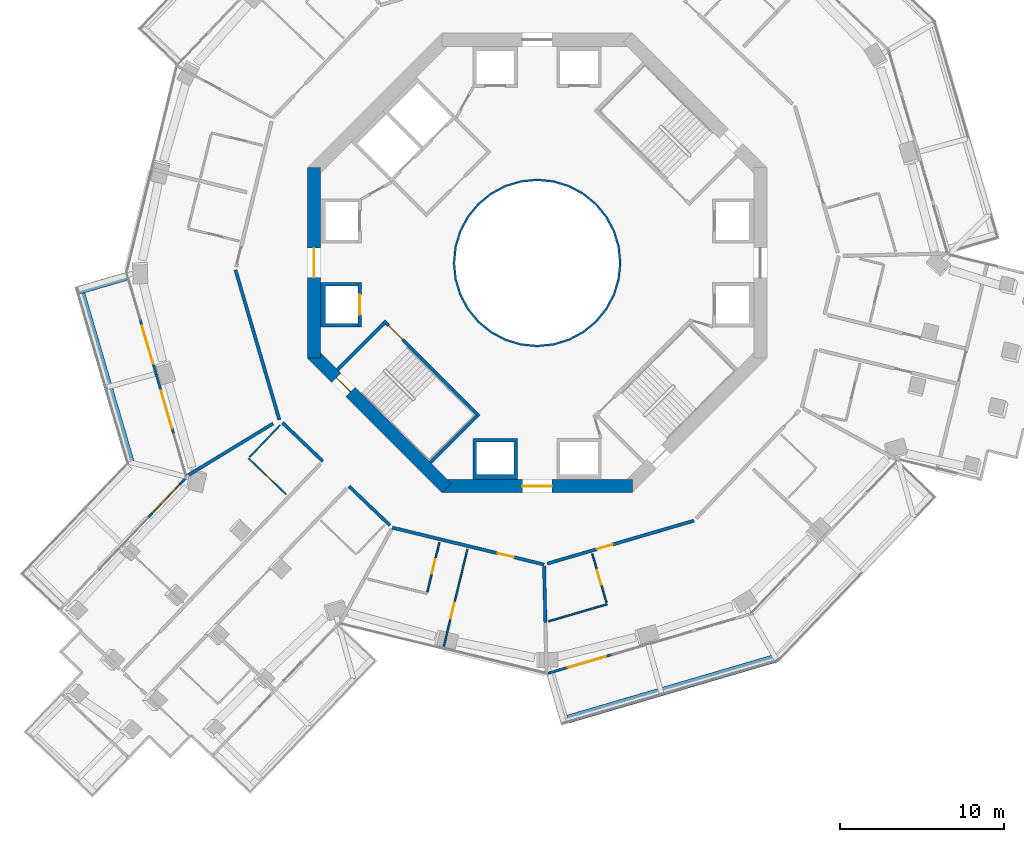
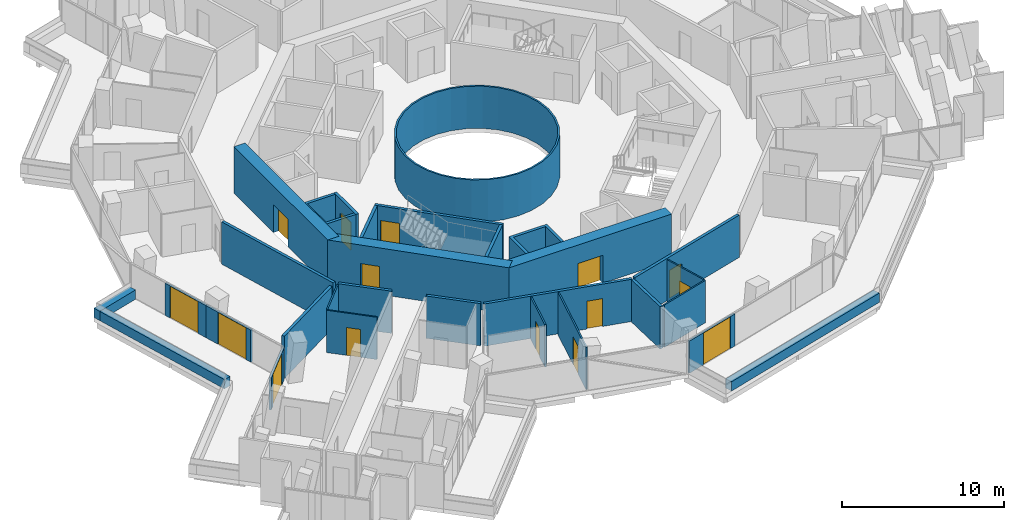
# One storey, part 18 of 25: 30 walls, 15 doors, 15 openings.
"""IFC4 building model written with IfcOpenShell, lengths in metres."""

from ifc_helpers import new_model, si_unit, direction, frame, frame_2d, origin, place, context, subcontext, project, spatial, polyline, rectangle, outline, extrude, material, layer, layer_set, type_object, element, fill, save


model = new_model("IFC4")

# Units and contexts
model_context = context("Model", 3, precision=1e-05, world=origin(), true_north=direction((0.0, 1.0)))
body_context = subcontext(model_context, "Body", "Model", "MODEL_VIEW")
ifc_project = project(units=[si_unit("LENGTHUNIT", "METRE"), si_unit("AREAUNIT", "SQUARE_METRE"), si_unit("VOLUMEUNIT", "CUBIC_METRE"), si_unit("PLANEANGLEUNIT", "RADIAN"), si_unit("MASSUNIT", "GRAM", prefix="KILO")], contexts=[model_context])

# Site, building, storey
site_placement = place(None, origin())
site = spatial("IfcSite", under=ifc_project, at=site_placement, CompositionType="ELEMENT")
building_placement = place(site_placement, origin())
building = spatial("IfcBuilding", under=site, at=building_placement, Name="Verdalira Terraces Hotel", CompositionType="ELEMENT")
storey_placement = place(building_placement, frame((0.0, 0.0, 100.0)))
storey = spatial("IfcBuildingStorey", under=building, at=storey_placement, Name="L23", CompositionType="ELEMENT", Elevation=100.0)

# Walls
ifc_material_1 = material(Name="Fire-resisting glass EI 180", Category="glass")
ifc_layer_1 = layer(ifc_material_1, 0.1201171875)
ifc_layer_set_1 = layer_set([ifc_layer_1], Name="Atrium fire screen 120 mm")
wall_type_1 = type_object("IfcWallType", Name="Atrium fire screen 120 mm", PredefinedType="SOLIDWALL", material=ifc_layer_set_1)
wall_1_placement = place(storey_placement, origin())
element("IfcWall", 1, at=wall_1_placement, inside=storey, type_object=wall_type_1, Name="Atrium fire screen", PredefinedType="SOLIDWALL", context=body_context, shape_type="SweptSolid", body=[
    extrude(outline(polyline([(5.021484, -0.998779), (4.730225, -1.959229), (4.25708, -2.844482), (3.620361, -3.620361), (2.844482, -4.25708), (1.959229, -4.730225), (0.998779, -5.021484), (0.0, -5.120117), (-0.998779, -5.021484), (-1.959229, -4.730225), (-2.844482, -4.25708), (-3.620361, -3.620361), (-4.25708, -2.844482), (-4.730225, -1.959229), (-5.021484, -0.998779), (-5.120117, 0.0), (-5.021484, 0.998779), (-4.730225, 1.959229), (-4.25708, 2.844482), (-3.620361, 3.620361), (-2.844482, 4.25708), (-1.959229, 4.730225), (-0.998779, 5.021484), (0.0, 5.120117), (0.998779, 5.021484), (1.959229, 4.730225), (2.844482, 4.25708), (3.620361, 3.620361), (4.25708, 2.844482), (4.730225, 1.959229), (5.021484, 0.998779), (5.120117, 0.0), (5.021484, -0.998779)]), holes=[polyline([(4.903809, 0.975586), (4.619385, 1.91333), (4.157227, 2.777832), (3.5354, 3.5354), (2.777832, 4.157227), (1.91333, 4.619385), (0.975586, 4.903809), (0.0, 5.0), (-0.975586, 4.903809), (-1.91333, 4.619385), (-2.777832, 4.157227), (-3.5354, 3.5354), (-4.157227, 2.777832), (-4.619385, 1.91333), (-4.903809, 0.975586), (-5.0, 0.0), (-4.903809, -0.975586), (-4.619385, -1.91333), (-4.157227, -2.777832), (-3.5354, -3.5354), (-2.777832, -4.157227), (-1.91333, -4.619385), (-0.975586, -4.903809), (0.0, -5.0), (0.975586, -4.903809), (1.91333, -4.619385), (2.777832, -4.157227), (3.5354, -3.5354), (4.157227, -2.777832), (4.619385, -1.91333), (4.903809, -0.975586), (5.0, 0.0), (4.903809, 0.975586)])]), origin(), (0.0, 0.0, 1.0), 3.189941),
])
ifc_material_2 = material(Name="Concrete C40", Category="concrete")
ifc_layer_2 = layer(ifc_material_2, 0.5)
ifc_layer_set_2 = layer_set([ifc_layer_2], Name="Balcony planter trough with tree")
wall_type_2 = type_object("IfcWallType", Name="Balcony planter trough with tree", PredefinedType="SOLIDWALL", material=ifc_layer_set_2)
wall_2_placement = place(storey_placement, frame((-25.038086, -0.818848, 0.0), z_axis=(0.0, 0.0, 1.0), x_axis=(-0.959706288, -0.281005054, 0.0)))
element("IfcWall", 2, at=wall_2_placement, inside=storey, type_object=wall_type_2, Name="Balcony planter", PredefinedType="SOLIDWALL", context=body_context, shape_type="SweptSolid", body=[
    extrude(rectangle(XDim=3.198975, YDim=0.5, at=frame_2d((1.599609, 0.0))), origin(), (0.0, 0.0, 1.0), 0.699951),
])
wall_3_placement = place(storey_placement, frame((-27.798096, -1.887451, 0.0), z_axis=(0.0, 0.0, 1.0), x_axis=(0.281008423, -0.959705302, 0.0)))
element("IfcWall", 3, at=wall_3_placement, inside=storey, type_object=wall_type_2, Name="Balcony planter", PredefinedType="SOLIDWALL", context=body_context, shape_type="SweptSolid", body=[
    extrude(rectangle(XDim=10.652344, YDim=0.5, at=frame_2d((5.326172, 0.0))), origin(), (0.0, 0.0, 1.0), 0.699951),
])
wall_4_placement = place(storey_placement, frame((1.887451, -27.798096, 0.0), z_axis=(0.0, 0.0, 1.0), x_axis=(0.959705837, 0.281006596, 0.0)))
element("IfcWall", 4, at=wall_4_placement, inside=storey, type_object=wall_type_2, Name="Balcony planter", PredefinedType="SOLIDWALL", context=body_context, shape_type="SweptSolid", body=[
    extrude(rectangle(XDim=13.223145, YDim=0.5, at=frame_2d((6.611572, 0.0))), origin(), (0.0, 0.0, 1.0), 0.699951),
])
ifc_material_3 = material(Name="Moisture-resistant gypsum board partition")
ifc_layer_3 = layer(ifc_material_3, 0.10009765625)
ifc_layer_set_3 = layer_set([ifc_layer_3], Name="Bathroom partition 100 mm")
wall_type_3 = type_object("IfcWallType", Name="Bathroom partition 100 mm", PredefinedType="PARTITIONING", material=ifc_layer_set_3)
wall_5_placement = place(storey_placement, frame((-15.656982, -9.879883, 0.0), z_axis=(0.0, 0.0, 1.0), x_axis=(-0.690643473, -0.723195404, 0.0)))
element("IfcWall", 5, at=wall_5_placement, inside=storey, type_object=wall_type_3, Name="Bathroom partition", PredefinedType="PARTITIONING", context=body_context, shape_type="SweptSolid", body=[
    extrude(rectangle(XDim=2.699951, YDim=0.100098, at=frame_2d((1.350098, 0.0))), origin(), (0.0, 0.0, 1.0), 3.189941),
])

# Wall, opening, door
wall_6_placement = place(storey_placement, frame((-17.59082, -11.904785, 0.0), z_axis=(0.0, 0.0, 1.0), x_axis=(0.723208297, -0.690629972, 0.0)))
wall_6 = element("IfcWall", 6, at=wall_6_placement, inside=storey, type_object=wall_type_3, Name="Bathroom partition", PredefinedType="PARTITIONING", context=body_context, shape_type="SweptSolid", body=[
    extrude(rectangle(XDim=3.199951, YDim=0.100098, at=frame_2d((1.600098, 0.0))), origin(), (0.0, 0.0, 1.0), 3.189941),
])
opening_1_placement = place(wall_6_placement, frame((1.25, 0.0, 0.0)))
opening_1 = element("IfcOpeningElement", 7, at=opening_1_placement, cuts=wall_6, Name="Opening L23-115", PredefinedType="OPENING", context=body_context, shape_type="SweptSolid", body=[
    extrude(rectangle(XDim=0.899902, YDim=2.100098, at=frame_2d((0.449951, 1.050049))), frame((0.0, 0.060059, 0.0), z_axis=(0.0, -1.0, 0.0), x_axis=(1.0, 0.0, 0.0)), (0.0, 0.0, 1.0), 0.120117),
])
ifc_material_4 = material(Name="Timber door", Category="wood")
door_type_1 = type_object("IfcDoorType", Name="Bathroom door 900 x 2100", OperationType="NOTDEFINED", PredefinedType="DOOR", material=ifc_material_4)
door_1_placement = place(opening_1_placement, origin())
door_1 = element("IfcDoor", 8, at=door_1_placement, inside=storey, type_object=door_type_1, Name="Bathroom door 2305", OperationType="SINGLE_SWING_LEFT", OverallHeight=2.10009765625, OverallWidth=0.89990234375, PredefinedType="DOOR", context=body_context, shape_type="SweptSolid", body=[
    extrude(rectangle(XDim=0.899902, YDim=2.100098, at=frame_2d((0.449951, 1.050049))), frame((0.0, 0.024902, 0.0), z_axis=(0.0, -1.0, 0.0), x_axis=(1.0, 0.0, 0.0)), (0.0, 0.0, 1.0), 0.050049),
])
fill(opening_1, door_1)

wall_7_placement = place(storey_placement, frame((-6.688721, -20.045166, 0.0), z_axis=(0.0, 0.0, 1.0), x_axis=(0.236490233, 0.971633866, 0.0)))
wall_7 = element("IfcWall", 9, at=wall_7_placement, inside=storey, type_object=wall_type_3, Name="Bathroom partition", PredefinedType="PARTITIONING", context=body_context, shape_type="SweptSolid", body=[
    extrude(rectangle(XDim=3.100098, YDim=0.100098, at=frame_2d((1.550049, 0.0))), origin(), (0.0, 0.0, 1.0), 3.189941),
])
opening_2_placement = place(wall_7_placement, frame((1.149902, 0.0, 0.0)))
opening_2 = element("IfcOpeningElement", 10, at=opening_2_placement, cuts=wall_7, Name="Opening L23-123", PredefinedType="OPENING", context=body_context, shape_type="SweptSolid", body=[
    extrude(rectangle(XDim=0.899902, YDim=2.100098, at=frame_2d((0.449951, 1.050049))), frame((0.0, 0.060059, 0.0), z_axis=(0.0, -1.0, 0.0), x_axis=(1.0, 0.0, 0.0)), (0.0, 0.0, 1.0), 0.120117),
])
door_2_placement = place(opening_2_placement, origin())
door_2 = element("IfcDoor", 11, at=door_2_placement, inside=storey, type_object=door_type_1, Name="Bathroom door 2308", OperationType="SINGLE_SWING_LEFT", OverallHeight=2.10009765625, OverallWidth=0.89990234375, PredefinedType="DOOR", context=body_context, shape_type="SweptSolid", body=[
    extrude(rectangle(XDim=0.899902, YDim=2.100098, at=frame_2d((0.449951, 1.050049))), frame((0.0, 0.024902, 0.0), z_axis=(0.0, -1.0, 0.0), x_axis=(1.0, 0.0, 0.0)), (0.0, 0.0, 1.0), 0.050049),
])
fill(opening_2, door_2)

wall_8_placement = place(storey_placement, frame((-5.70166, -23.424316, 0.0), z_axis=(0.0, 0.0, 1.0), x_axis=(0.236524799, 0.971625452, 0.0)))
wall_8 = element("IfcWall", 12, at=wall_8_placement, inside=storey, type_object=wall_type_3, Name="Bathroom partition", PredefinedType="PARTITIONING", context=body_context, shape_type="SweptSolid", body=[
    extrude(rectangle(XDim=6.149902, YDim=0.100098, at=frame_2d((3.074951, 0.0))), origin(), (0.0, 0.0, 1.0), 3.189941),
])
opening_3_placement = place(wall_8_placement, frame((1.800049, 0.0, 0.0)))
opening_3 = element("IfcOpeningElement", 13, at=opening_3_placement, cuts=wall_8, Name="Opening L23-122", PredefinedType="OPENING", context=body_context, shape_type="SweptSolid", body=[
    extrude(rectangle(XDim=1.0, YDim=2.100098, at=frame_2d((0.5, 1.050049))), frame((0.0, 0.060059, 0.0), z_axis=(0.0, -1.0, 0.0), x_axis=(1.0, 0.0, 0.0)), (0.0, 0.0, 1.0), 0.120117),
])
ifc_material_5 = material(Name="Timber door", Category="wood")
door_type_2 = type_object("IfcDoorType", Name="Suite internal door 1000 x 2100", OperationType="NOTDEFINED", PredefinedType="DOOR", material=ifc_material_5)
door_3_placement = place(opening_3_placement, origin())
door_3 = element("IfcDoor", 14, at=door_3_placement, inside=storey, type_object=door_type_2, Name="Suite internal door 2308", OperationType="SINGLE_SWING_LEFT", OverallHeight=2.10009765625, OverallWidth=1.0, PredefinedType="DOOR", context=body_context, shape_type="SweptSolid", body=[
    extrude(rectangle(XDim=1.0, YDim=2.100098, at=frame_2d((0.5, 1.050049))), frame((0.0, 0.024902, 0.0), z_axis=(0.0, -1.0, 0.0), x_axis=(1.0, 0.0, 0.0)), (0.0, 0.0, 1.0), 0.050049),
])
fill(opening_3, door_3)

# Wall
wall_9_placement = place(storey_placement, frame((4.258057, -20.799805, 0.0), z_axis=(0.0, 0.0, 1.0), x_axis=(-0.959692321, -0.281052751, 0.0)))
element("IfcWall", 15, at=wall_9_placement, inside=storey, type_object=wall_type_3, Name="Bathroom partition", PredefinedType="PARTITIONING", context=body_context, shape_type="SweptSolid", body=[
    extrude(rectangle(XDim=3.704102, YDim=0.100098, at=frame_2d((1.852051, 0.0))), origin(), (0.0, 0.0, 1.0), 3.189941),
])

# Wall, opening, door
wall_10_placement = place(storey_placement, frame((4.22998, -20.703857, 0.0), z_axis=(0.0, 0.0, 1.0), x_axis=(-0.280997832, 0.959708403, 0.0)))
wall_10 = element("IfcWall", 16, at=wall_10_placement, inside=storey, type_object=wall_type_3, Name="Bathroom partition", PredefinedType="PARTITIONING", context=body_context, shape_type="SweptSolid", body=[
    extrude(rectangle(XDim=3.100098, YDim=0.100098, at=frame_2d((1.550049, 0.0))), origin(), (0.0, 0.0, 1.0), 3.189941),
])
opening_4_placement = place(wall_10_placement, frame((1.149902, 0.0, 0.0)))
opening_4 = element("IfcOpeningElement", 17, at=opening_4_placement, cuts=wall_10, Name="Opening L23-125", PredefinedType="OPENING", context=body_context, shape_type="SweptSolid", body=[
    extrude(rectangle(XDim=0.899902, YDim=2.100098, at=frame_2d((0.449951, 1.050049))), frame((0.0, 0.060059, 0.0), z_axis=(0.0, -1.0, 0.0), x_axis=(1.0, 0.0, 0.0)), (0.0, 0.0, 1.0), 0.120117),
])
door_4_placement = place(opening_4_placement, origin())
door_4 = element("IfcDoor", 18, at=door_4_placement, inside=storey, type_object=door_type_1, Name="Bathroom door 2309", OperationType="SINGLE_SWING_LEFT", OverallHeight=2.10009765625, OverallWidth=0.89990234375, PredefinedType="DOOR", context=body_context, shape_type="SweptSolid", body=[
    extrude(rectangle(XDim=0.899902, YDim=2.100098, at=frame_2d((0.449951, 1.050049))), frame((0.0, 0.024902, 0.0), z_axis=(0.0, -1.0, 0.0), x_axis=(1.0, 0.0, 0.0)), (0.0, 0.0, 1.0), 0.050049),
])
fill(opening_4, door_4)

# Wall
ifc_material_6 = material(Name="Concrete C50", Category="concrete")
ifc_layer_4 = layer(ifc_material_6, 0.199951171875)
ifc_layer_set_4 = layer_set([ifc_layer_4], Name="Core RC wall 200 C50")
wall_type_4 = type_object("IfcWallType", Name="Core RC wall 200 C50", PredefinedType="SOLIDWALL", material=ifc_layer_set_4)
wall_11_placement = place(storey_placement, origin())
element("IfcWall", 19, at=wall_11_placement, inside=storey, type_object=wall_type_4, Name="L23 shaft wall W2", PredefinedType="SOLIDWALL", context=body_context, shape_type="SweptSolid", body=[
    extrude(outline(polyline([(-13.199951, -3.899902), (-13.199951, -1.199951), (-10.899902, -1.199951), (-10.899902, -1.399902), (-12.899902, -1.399902), (-12.899902, -3.699951), (-10.899902, -3.699951), (-10.899902, -3.899902), (-13.199951, -3.899902)])), origin(), (0.0, 0.0, 1.0), 3.189941),
])

# Wall, opening, door
wall_12_placement = place(storey_placement, frame((-10.800049, -1.199951, 0.0), z_axis=(0.0, 0.0, 1.0), x_axis=(0.0, -1.0, 0.0)))
wall_12 = element("IfcWall", 20, at=wall_12_placement, inside=storey, type_object=wall_type_4, Name="L23 shaft front wall W2", PredefinedType="SOLIDWALL", context=body_context, shape_type="SweptSolid", body=[
    extrude(rectangle(XDim=2.699951, YDim=0.199951, at=frame_2d((1.350098, 0.0))), origin(), (0.0, 0.0, 1.0), 3.189941),
])
opening_5_placement = place(wall_12_placement, frame((0.75, 0.0, 0.0)))
opening_5 = element("IfcOpeningElement", 21, at=opening_5_placement, cuts=wall_12, Name="Opening LD-L23-806", PredefinedType="OPENING", context=body_context, shape_type="SweptSolid", body=[
    extrude(rectangle(XDim=1.199951, YDim=2.100098, at=frame_2d((0.600098, 1.050049))), frame((0.0, 0.109863, 0.0), z_axis=(0.0, -1.0, 0.0), x_axis=(1.0, 0.0, 0.0)), (0.0, 0.0, 1.0), 0.219971),
])
ifc_material_7 = material(Name="Stainless steel", Category="steel")
door_type_3 = type_object("IfcDoorType", Name="Landing door 1200 x 2100", OperationType="NOTDEFINED", PredefinedType="DOOR", material=ifc_material_7)
door_5_placement = place(opening_5_placement, origin())
door_5 = element("IfcDoor", 22, at=door_5_placement, inside=storey, type_object=door_type_3, Name="Lift landing door LR6 L23", OperationType="DOUBLE_DOOR_SLIDING", OverallHeight=2.10009765625, OverallWidth=1.199951171875, PredefinedType="DOOR", context=body_context, shape_type="SweptSolid", body=[
    extrude(rectangle(XDim=1.199951, YDim=2.100098, at=frame_2d((0.600098, 1.050049))), frame((0.0, 0.024902, 0.0), z_axis=(0.0, -1.0, 0.0), x_axis=(1.0, 0.0, 0.0)), (0.0, 0.0, 1.0), 0.050049),
])
fill(opening_5, door_5)

# Wall
wall_13_placement = place(storey_placement, origin())
element("IfcWall", 23, at=wall_13_placement, inside=storey, type_object=wall_type_4, Name="L23 shaft wall S1", PredefinedType="SOLIDWALL", context=body_context, shape_type="SweptSolid", body=[
    extrude(outline(polyline([(-1.199951, -13.199951), (-3.899902, -13.199951), (-3.899902, -10.699951), (-1.199951, -10.699951), (-1.199951, -13.199951)]), holes=[polyline([(-3.699951, -10.899902), (-3.699951, -12.899902), (-1.399902, -12.899902), (-1.399902, -10.899902), (-3.699951, -10.899902)])]), origin(), (0.0, 0.0, 1.0), 3.189941),
])

# Wall, opening, door
wall_14_placement = place(storey_placement, frame((-3.5354, -9.33374, 0.0), z_axis=(0.0, 0.0, 1.0), x_axis=(-0.707106781, 0.707106781, 0.0)))
wall_14 = element("IfcWall", 24, at=wall_14_placement, inside=storey, type_object=wall_type_4, Name="L23 stair ST2 front wall", PredefinedType="SOLIDWALL", context=body_context, shape_type="SweptSolid", body=[
    extrude(rectangle(XDim=8.200195, YDim=0.199951, at=frame_2d((4.100098, 0.0))), origin(), (0.0, 0.0, 1.0), 3.189941),
])
opening_6_placement = place(wall_14_placement, frame((6.600098, 0.0, 0.0)))
opening_6 = element("IfcOpeningElement", 25, at=opening_6_placement, cuts=wall_14, Name="Opening L23-810", PredefinedType="OPENING", context=body_context, shape_type="SweptSolid", body=[
    extrude(rectangle(XDim=1.199951, YDim=2.100098, at=frame_2d((0.600098, 1.050049))), frame((0.0, 0.109863, 0.0), z_axis=(0.0, -1.0, 0.0), x_axis=(1.0, 0.0, 0.0)), (0.0, 0.0, 1.0), 0.219971),
])
ifc_material_8 = material(Name="Steel fire door", Category="steel")
door_type_4 = type_object("IfcDoorType", Name="Stair door 1200 x 2100", OperationType="NOTDEFINED", PredefinedType="DOOR", material=ifc_material_8)
door_6_placement = place(opening_6_placement, origin())
door_6 = element("IfcDoor", 26, at=door_6_placement, inside=storey, type_object=door_type_4, Name="Stair door ST2 L23", OperationType="SINGLE_SWING_RIGHT", OverallHeight=2.10009765625, OverallWidth=1.199951171875, PredefinedType="DOOR", context=body_context, shape_type="SweptSolid", body=[
    extrude(rectangle(XDim=1.199951, YDim=2.100098, at=frame_2d((0.600098, 1.050049))), frame((0.0, 0.024902, 0.0), z_axis=(0.0, -1.0, 0.0), x_axis=(1.0, 0.0, 0.0)), (0.0, 0.0, 1.0), 0.050049),
])
fill(opening_6, door_6)

# Walls
for number, where, z_axis, x_axis, name in (
    (27, (-9.33374, -3.677002, 0.0), (0.0, 0.0, 1.0), (-0.707106781, -0.707106781, 0.0), "L23 stair ST2 end wall 1"),
    (28, (-3.677002, -9.33374, 0.0), (0.0, 0.0, 1.0), (-0.707106781, -0.707106781, 0.0), "L23 stair ST2 end wall 2"),
):
    element("IfcWall", number, at=place(storey_placement, frame(where, z_axis=z_axis, x_axis=x_axis)), inside=storey, type_object=wall_type_4, Name=name, PredefinedType="SOLIDWALL", context=body_context, shape_type="SweptSolid", body=[
        extrude(rectangle(XDim=4.0, YDim=0.199951, at=frame_2d((2.0, 0.0))), origin(), (0.0, 0.0, 1.0), 3.189941),
    ])

# Wall, opening, door
ifc_material_9 = material(Name="Concrete C70", Category="concrete")
ifc_layer_5 = layer(ifc_material_9, 0.800048828125)
ifc_layer_set_5 = layer_set([ifc_layer_5], Name="Core wall 800 C70")
wall_type_5 = type_object("IfcWallType", Name="Core wall 800 C70", PredefinedType="SHEAR", material=ifc_layer_set_5)
wall_15_placement = place(storey_placement, frame((-13.600098, 5.799072, 0.0), z_axis=(0.0, 0.0, 1.0), x_axis=(0.0, -1.0, 0.0)))
wall_15 = element("IfcWall", 29, at=wall_15_placement, inside=storey, type_object=wall_type_5, Name="Core wall CW-L23-5", PredefinedType="SHEAR", context=body_context, shape_type="SweptSolid", body=[
    extrude(rectangle(XDim=11.598145, YDim=0.800049, at=frame_2d((5.799072, 0.0))), origin(), (0.0, 0.0, 1.0), 3.5),
])
opening_7_placement = place(wall_15_placement, frame((4.898926, 0.0, 0.0)))
opening_7 = element("IfcOpeningElement", 30, at=opening_7_placement, cuts=wall_15, Name="Opening L23-814", PredefinedType="OPENING", context=body_context, shape_type="SweptSolid", body=[
    extrude(rectangle(XDim=1.800049, YDim=2.100098, at=frame_2d((0.899902, 1.050049))), frame((0.0, 0.409912, 0.0), z_axis=(0.0, -1.0, 0.0), x_axis=(1.0, 0.0, 0.0)), (0.0, 0.0, 1.0), 0.820068),
])
ifc_material_10 = material(Name="Steel fire door", Category="steel")
door_type_5 = type_object("IfcDoorType", Name="Core entry door pair 1800 x 2100", OperationType="NOTDEFINED", PredefinedType="DOOR", material=ifc_material_10)
door_7_placement = place(opening_7_placement, origin())
door_7 = element("IfcDoor", 31, at=door_7_placement, inside=storey, type_object=door_type_5, Name="Core entry door L23 4", OperationType="DOUBLE_DOOR_SINGLE_SWING", OverallHeight=2.10009765625, OverallWidth=1.800048828125, PredefinedType="DOOR", context=body_context, shape_type="SweptSolid", body=[
    extrude(rectangle(XDim=1.800049, YDim=2.100098, at=frame_2d((0.899902, 1.050049))), frame((0.0, 0.024902, 0.0), z_axis=(0.0, -1.0, 0.0), x_axis=(1.0, 0.0, 0.0)), (0.0, 0.0, 1.0), 0.050049),
])
fill(opening_7, door_7)

wall_16_placement = place(storey_placement, frame((-13.717285, -5.516113, 0.0), z_axis=(0.0, 0.0, 1.0), x_axis=(0.707106781, -0.707106781, 0.0)))
wall_16 = element("IfcWall", 32, at=wall_16_placement, inside=storey, type_object=wall_type_5, Name="Core wall CW-L23-6", PredefinedType="SHEAR", context=body_context, shape_type="SweptSolid", body=[
    extrude(rectangle(XDim=11.598145, YDim=0.800049, at=frame_2d((5.799072, 0.0))), origin(), (0.0, 0.0, 1.0), 3.5),
])
opening_8_placement = place(wall_16_placement, frame((2.099121, 0.0, 0.0)))
opening_8 = element("IfcOpeningElement", 33, at=opening_8_placement, cuts=wall_16, Name="Opening L23-817", PredefinedType="OPENING", context=body_context, shape_type="SweptSolid", body=[
    extrude(rectangle(XDim=1.199951, YDim=2.100098, at=frame_2d((0.600098, 1.050049))), frame((0.0, 0.409912, 0.0), z_axis=(0.0, -1.0, 0.0), x_axis=(1.0, 0.0, 0.0)), (0.0, 0.0, 1.0), 0.820068),
])
door_8_placement = place(opening_8_placement, origin())
door_8 = element("IfcDoor", 34, at=door_8_placement, inside=storey, type_object=door_type_4, Name="Stair exit door ST2 L23", OperationType="SINGLE_SWING_LEFT", OverallHeight=2.10009765625, OverallWidth=1.199951171875, PredefinedType="DOOR", context=body_context, shape_type="SweptSolid", body=[
    extrude(rectangle(XDim=1.199951, YDim=2.100098, at=frame_2d((0.600098, 1.050049))), frame((0.0, 0.024902, 0.0), z_axis=(0.0, -1.0, 0.0), x_axis=(1.0, 0.0, 0.0)), (0.0, 0.0, 1.0), 0.050049),
])
fill(opening_8, door_8)

wall_17_placement = place(storey_placement, frame((-5.799072, -13.600098, 0.0), z_axis=(0.0, 0.0, 1.0), x_axis=(1.0, 0.0, 0.0)))
wall_17 = element("IfcWall", 35, at=wall_17_placement, inside=storey, type_object=wall_type_5, Name="Core wall CW-L23-7", PredefinedType="SHEAR", context=body_context, shape_type="SweptSolid", body=[
    extrude(rectangle(XDim=11.598145, YDim=0.800049, at=frame_2d((5.799072, 0.0))), origin(), (0.0, 0.0, 1.0), 3.5),
])
opening_9_placement = place(wall_17_placement, frame((4.898926, 0.0, 0.0)))
opening_9 = element("IfcOpeningElement", 36, at=opening_9_placement, cuts=wall_17, Name="Opening L23-815", PredefinedType="OPENING", context=body_context, shape_type="SweptSolid", body=[
    extrude(rectangle(XDim=1.800049, YDim=2.100098, at=frame_2d((0.899902, 1.050049))), frame((0.0, 0.409912, 0.0), z_axis=(0.0, -1.0, 0.0), x_axis=(1.0, 0.0, 0.0)), (0.0, 0.0, 1.0), 0.820068),
])
door_9_placement = place(opening_9_placement, origin())
door_9 = element("IfcDoor", 37, at=door_9_placement, inside=storey, type_object=door_type_5, Name="Core entry door L23 6", OperationType="DOUBLE_DOOR_SINGLE_SWING", OverallHeight=2.10009765625, OverallWidth=1.800048828125, PredefinedType="DOOR", context=body_context, shape_type="SweptSolid", body=[
    extrude(rectangle(XDim=1.800049, YDim=2.100098, at=frame_2d((0.899902, 1.050049))), frame((0.0, 0.024902, 0.0), z_axis=(0.0, -1.0, 0.0), x_axis=(1.0, 0.0, 0.0)), (0.0, 0.0, 1.0), 0.050049),
])
fill(opening_9, door_9)

# Walls
ifc_material_11 = material(Name="Fire-rated gypsum board wall")
ifc_layer_6 = layer(ifc_material_11, 0.199951171875)
ifc_layer_set_6 = layer_set([ifc_layer_6], Name="Demising wall 200 mm")
wall_type_6 = type_object("IfcWallType", Name="Demising wall 200 mm", PredefinedType="SOLIDWALL", material=ifc_layer_set_6)
wall_18_placement = place(storey_placement, frame((-16.087891, -9.789307, 0.0), z_axis=(0.0, 0.0, 1.0), x_axis=(-0.854272356, -0.519825684, 0.0)))
element("IfcWall", 38, at=wall_18_placement, inside=storey, type_object=wall_type_6, Name="Demising wall", PredefinedType="SOLIDWALL", context=body_context, shape_type="SweptSolid", body=[
    extrude(rectangle(XDim=6.131836, YDim=0.199951, at=frame_2d((3.065918, 0.0))), origin(), (0.0, 0.0, 1.0), 3.189941),
])
wall_19_placement = place(storey_placement, frame((0.425781, -18.483398, 0.0), z_axis=(0.0, 0.0, 1.0), x_axis=(0.023068584, -0.999733885, 0.0)))
element("IfcWall", 39, at=wall_19_placement, inside=storey, type_object=wall_type_6, Name="Demising wall", PredefinedType="SOLIDWALL", context=body_context, shape_type="SweptSolid", body=[
    extrude(rectangle(XDim=3.418457, YDim=0.199951, at=frame_2d((1.709229, 0.0))), origin(), (0.0, 0.0, 1.0), 3.189941),
])
ifc_material_12 = material(Name="Fire-rated gypsum board wall")
ifc_layer_7 = layer(ifc_material_12, 0.199951171875)
ifc_layer_set_7 = layer_set([ifc_layer_7], Name="Guest corridor wall 200 mm")
wall_type_7 = type_object("IfcWallType", Name="Guest corridor wall 200 mm", PredefinedType="SOLIDWALL", material=ifc_layer_set_7)
wall_20_placement = place(storey_placement, frame((-18.379639, -0.424072, 0.0), z_axis=(0.0, 0.0, 1.0), x_axis=(0.280984056, -0.959712436, 0.0)))
element("IfcWall", 40, at=wall_20_placement, inside=storey, type_object=wall_type_7, Name="Guest corridor wall", PredefinedType="SOLIDWALL", context=body_context, shape_type="SweptSolid", body=[
    extrude(rectangle(XDim=9.515869, YDim=0.199951, at=frame_2d((4.757812, 0.0))), origin(), (0.0, 0.0, 1.0), 3.189941),
])
wall_21_placement = place(storey_placement, frame((-15.518799, -9.735107, 0.0), z_axis=(0.0, 0.0, 1.0), x_axis=(0.723184346, -0.690655053, 0.0)))
element("IfcWall", 41, at=wall_21_placement, inside=storey, type_object=wall_type_7, Name="Guest corridor wall", PredefinedType="SOLIDWALL", context=body_context, shape_type="SweptSolid", body=[
    extrude(rectangle(XDim=3.399902, YDim=0.199951, at=frame_2d((1.699951, 0.0))), origin(), (0.0, 0.0, 1.0), 3.189941),
])
wall_22_placement = place(storey_placement, frame((-11.468994, -13.602783, 0.0), z_axis=(0.0, 0.0, 1.0), x_axis=(0.723225716, -0.690611731, 0.0)))
element("IfcWall", 42, at=wall_22_placement, inside=storey, type_object=wall_type_7, Name="Guest corridor wall", PredefinedType="SOLIDWALL", context=body_context, shape_type="SweptSolid", body=[
    extrude(rectangle(XDim=3.458496, YDim=0.199951, at=frame_2d((1.729248, 0.0))), origin(), (0.0, 0.0, 1.0), 3.189941),
])

# Wall, opening, door
wall_23_placement = place(storey_placement, frame((0.423584, -18.379883, 0.0), z_axis=(0.0, 0.0, 1.0), x_axis=(-0.971631287, 0.236500827, 0.0)))
wall_23 = element("IfcWall", 43, at=wall_23_placement, inside=storey, type_object=wall_type_7, Name="Guest corridor wall", PredefinedType="SOLIDWALL", context=body_context, shape_type="SweptSolid", body=[
    extrude(rectangle(XDim=9.516846, YDim=0.199951, at=frame_2d((4.758301, 0.0))), origin(), (0.0, 0.0, 1.0), 3.189941),
])
opening_10_placement = place(wall_23_placement, frame((1.899902, 0.0, 0.0)))
opening_10 = element("IfcOpeningElement", 44, at=opening_10_placement, cuts=wall_23, Name="Opening L23-121", PredefinedType="OPENING", context=body_context, shape_type="SweptSolid", body=[
    extrude(rectangle(XDim=1.0, YDim=2.100098, at=frame_2d((0.5, 1.050049))), frame((0.0, 0.109863, 0.0), z_axis=(0.0, -1.0, 0.0), x_axis=(1.0, 0.0, 0.0)), (0.0, 0.0, 1.0), 0.219971),
])
ifc_material_13 = material(Name="Timber fire door", Category="wood")
door_type_6 = type_object("IfcDoorType", Name="Guest entry door 1000 x 2100", OperationType="NOTDEFINED", PredefinedType="DOOR", material=ifc_material_13)
door_10_placement = place(opening_10_placement, origin())
door_10 = element("IfcDoor", 45, at=door_10_placement, inside=storey, type_object=door_type_6, Name="Guest entry door 2308", OperationType="SINGLE_SWING_LEFT", OverallHeight=2.10009765625, OverallWidth=1.0, PredefinedType="DOOR", context=body_context, shape_type="SweptSolid", body=[
    extrude(rectangle(XDim=1.0, YDim=2.100098, at=frame_2d((0.5, 1.050049))), frame((0.0, 0.024902, 0.0), z_axis=(0.0, -1.0, 0.0), x_axis=(1.0, 0.0, 0.0)), (0.0, 0.0, 1.0), 0.050049),
])
fill(opening_10, door_10)

wall_24_placement = place(storey_placement, frame((9.556152, -15.705811, 0.0), z_axis=(0.0, 0.0, 1.0), x_axis=(-0.959704488, -0.281011202, 0.0)))
wall_24 = element("IfcWall", 46, at=wall_24_placement, inside=storey, type_object=wall_type_7, Name="Guest corridor wall", PredefinedType="SOLIDWALL", context=body_context, shape_type="SweptSolid", body=[
    extrude(rectangle(XDim=9.316162, YDim=0.199951, at=frame_2d((4.658203, 0.0))), origin(), (0.0, 0.0, 1.0), 3.189941),
])
opening_11_placement = place(wall_24_placement, frame((5.149902, 0.0, 0.0)))
opening_11 = element("IfcOpeningElement", 47, at=opening_11_placement, cuts=wall_24, Name="Opening L23-124", PredefinedType="OPENING", context=body_context, shape_type="SweptSolid", body=[
    extrude(rectangle(XDim=1.0, YDim=2.100098, at=frame_2d((0.5, 1.050049))), frame((0.0, 0.109863, 0.0), z_axis=(0.0, -1.0, 0.0), x_axis=(1.0, 0.0, 0.0)), (0.0, 0.0, 1.0), 0.219971),
])
door_11_placement = place(opening_11_placement, origin())
door_11 = element("IfcDoor", 48, at=door_11_placement, inside=storey, type_object=door_type_6, Name="Guest entry door 2309", OperationType="SINGLE_SWING_LEFT", OverallHeight=2.10009765625, OverallWidth=1.0, PredefinedType="DOOR", context=body_context, shape_type="SweptSolid", body=[
    extrude(rectangle(XDim=1.0, YDim=2.100098, at=frame_2d((0.5, 1.050049))), frame((0.0, 0.024902, 0.0), z_axis=(0.0, -1.0, 0.0), x_axis=(1.0, 0.0, 0.0)), (0.0, 0.0, 1.0), 0.050049),
])
fill(opening_11, door_11)

ifc_material_14 = material(Name="Terracotta cladding", Category="masonry")
ifc_layer_8 = layer(ifc_material_14, 0.14990234375)
ifc_layer_set_8 = layer_set([ifc_layer_8], Name="Terracotta door pier 150")
wall_type_8 = type_object("IfcWallType", Name="Terracotta door pier 150", PredefinedType="SOLIDWALL", material=ifc_layer_set_8)
wall_25_placement = place(storey_placement, frame((-24.185303, -3.460693, 0.0), z_axis=(0.0, 0.0, 1.0), x_axis=(0.28096031, -0.959719388, 0.0)))
wall_25 = element("IfcWall", 49, at=wall_25_placement, inside=storey, type_object=wall_type_8, Name="Terracotta door pier", PredefinedType="SOLIDWALL", context=body_context, shape_type="SweptSolid", body=[
    extrude(rectangle(XDim=3.474854, YDim=0.149902, at=frame_2d((1.737305, 0.0))), origin(), (0.0, 0.0, 1.0), 2.425049),
])
opening_12_placement = place(wall_25_placement, frame((0.399902, 0.0, 0.0)))
opening_12 = element("IfcOpeningElement", 50, at=opening_12_placement, cuts=wall_25, Name="Opening L23-B06", PredefinedType="OPENING", context=body_context, shape_type="SweptSolid", body=[
    extrude(rectangle(XDim=2.399902, YDim=2.399902, at=frame_2d((1.199951, 1.199951))), frame((0.0, 0.084961, 0.0), z_axis=(0.0, -1.0, 0.0), x_axis=(1.0, 0.0, 0.0)), (0.0, 0.0, 1.0), 0.169922),
])
ifc_material_15 = material(Name="Clear glass", Category="glass")
door_type_7 = type_object("IfcDoorType", Name="Balcony sliding door 2400x2400", OperationType="NOTDEFINED", PredefinedType="DOOR", material=ifc_material_15)
door_12_placement = place(opening_12_placement, origin())
door_12 = element("IfcDoor", 51, at=door_12_placement, inside=storey, type_object=door_type_7, Name="Balcony sliding door", OperationType="SLIDING_TO_RIGHT", OverallHeight=2.39990234375, OverallWidth=2.39990234375, PredefinedType="DOOR", context=body_context, shape_type="SweptSolid", body=[
    extrude(rectangle(XDim=2.399902, YDim=2.399902, at=frame_2d((1.199951, 1.199951))), frame((0.0, 0.024902, 0.0), z_axis=(0.0, -1.0, 0.0), x_axis=(1.0, 0.0, 0.0)), (0.0, 0.0, 1.0), 0.050049),
])
fill(opening_12, door_12)

wall_26_placement = place(storey_placement, frame((-23.208984, -6.795654, 0.0), z_axis=(0.0, 0.0, 1.0), x_axis=(0.281028882, -0.959699311, 0.0)))
wall_26 = element("IfcWall", 52, at=wall_26_placement, inside=storey, type_object=wall_type_8, Name="Terracotta door pier", PredefinedType="SOLIDWALL", context=body_context, shape_type="SweptSolid", body=[
    extrude(rectangle(XDim=3.835449, YDim=0.149902, at=frame_2d((1.917725, 0.0))), origin(), (0.0, 0.0, 1.0), 2.425049),
])
opening_13_placement = place(wall_26_placement, frame((1.0354, 0.0, 0.0)))
opening_13 = element("IfcOpeningElement", 53, at=opening_13_placement, cuts=wall_26, Name="Opening L23-B07", PredefinedType="OPENING", context=body_context, shape_type="SweptSolid", body=[
    extrude(rectangle(XDim=2.399902, YDim=2.399902, at=frame_2d((1.199951, 1.199951))), frame((0.0, 0.084961, 0.0), z_axis=(0.0, -1.0, 0.0), x_axis=(1.0, 0.0, 0.0)), (0.0, 0.0, 1.0), 0.169922),
])
door_13_placement = place(opening_13_placement, origin())
door_13 = element("IfcDoor", 54, at=door_13_placement, inside=storey, type_object=door_type_7, Name="Balcony sliding door", OperationType="SLIDING_TO_LEFT", OverallHeight=2.39990234375, OverallWidth=2.39990234375, PredefinedType="DOOR", context=body_context, shape_type="SweptSolid", body=[
    extrude(rectangle(XDim=2.399902, YDim=2.399902, at=frame_2d((1.199951, 1.199951))), frame((0.0, 0.024902, 0.0), z_axis=(0.0, -1.0, 0.0), x_axis=(1.0, 0.0, 0.0)), (0.0, 0.0, 1.0), 0.050049),
])
fill(opening_13, door_13)

wall_27_placement = place(storey_placement, frame((-21.448486, -13.157227, 0.0), z_axis=(0.0, 0.0, 1.0), x_axis=(-0.690648505, -0.723190599, 0.0)))
wall_27 = element("IfcWall", 55, at=wall_27_placement, inside=storey, type_object=wall_type_8, Name="Terracotta door pier", PredefinedType="SOLIDWALL", context=body_context, shape_type="SweptSolid", body=[
    extrude(rectangle(XDim=3.293457, YDim=0.149902, at=frame_2d((1.646729, 0.0))), origin(), (0.0, 0.0, 1.0), 2.425049),
])
opening_14_placement = place(wall_27_placement, frame((0.493652, 0.0, 0.0)))
opening_14 = element("IfcOpeningElement", 56, at=opening_14_placement, cuts=wall_27, Name="Opening L23-B08", PredefinedType="OPENING", context=body_context, shape_type="SweptSolid", body=[
    extrude(rectangle(XDim=2.399902, YDim=2.399902, at=frame_2d((1.199951, 1.199951))), frame((0.0, 0.084961, 0.0), z_axis=(0.0, -1.0, 0.0), x_axis=(1.0, 0.0, 0.0)), (0.0, 0.0, 1.0), 0.169922),
])
door_14_placement = place(opening_14_placement, origin())
door_14 = element("IfcDoor", 57, at=door_14_placement, inside=storey, type_object=door_type_7, Name="Balcony sliding door", OperationType="SLIDING_TO_LEFT", OverallHeight=2.39990234375, OverallWidth=2.39990234375, PredefinedType="DOOR", context=body_context, shape_type="SweptSolid", body=[
    extrude(rectangle(XDim=2.399902, YDim=2.399902, at=frame_2d((1.199951, 1.199951))), frame((0.0, 0.024902, 0.0), z_axis=(0.0, -1.0, 0.0), x_axis=(1.0, 0.0, 0.0)), (0.0, 0.0, 1.0), 0.050049),
])
fill(opening_14, door_14)

wall_28_placement = place(storey_placement, frame((0.653564, -25.007324, 0.0), z_axis=(0.0, 0.0, 1.0), x_axis=(0.959709779, 0.280993133, 0.0)))
wall_28 = element("IfcWall", 58, at=wall_28_placement, inside=storey, type_object=wall_type_8, Name="Terracotta door pier", PredefinedType="SOLIDWALL", context=body_context, shape_type="SweptSolid", body=[
    extrude(rectangle(XDim=4.067871, YDim=0.149902, at=frame_2d((2.033936, 0.0))), origin(), (0.0, 0.0, 1.0), 2.425049),
])
opening_15_placement = place(wall_28_placement, frame((1.267822, 0.0, 0.0)))
opening_15 = element("IfcOpeningElement", 59, at=opening_15_placement, cuts=wall_28, Name="Opening L23-B13", PredefinedType="OPENING", context=body_context, shape_type="SweptSolid", body=[
    extrude(rectangle(XDim=2.399902, YDim=2.399902, at=frame_2d((1.199951, 1.199951))), frame((0.0, 0.084961, 0.0), z_axis=(0.0, -1.0, 0.0), x_axis=(1.0, 0.0, 0.0)), (0.0, 0.0, 1.0), 0.169922),
])
door_15_placement = place(opening_15_placement, origin())
door_15 = element("IfcDoor", 60, at=door_15_placement, inside=storey, type_object=door_type_7, Name="Balcony sliding door", OperationType="SLIDING_TO_LEFT", OverallHeight=2.39990234375, OverallWidth=2.39990234375, PredefinedType="DOOR", context=body_context, shape_type="SweptSolid", body=[
    extrude(rectangle(XDim=2.399902, YDim=2.399902, at=frame_2d((1.199951, 1.199951))), frame((0.0, 0.024902, 0.0), z_axis=(0.0, -1.0, 0.0), x_axis=(1.0, 0.0, 0.0)), (0.0, 0.0, 1.0), 0.050049),
])
fill(opening_15, door_15)

save(model, "model.ifc")
